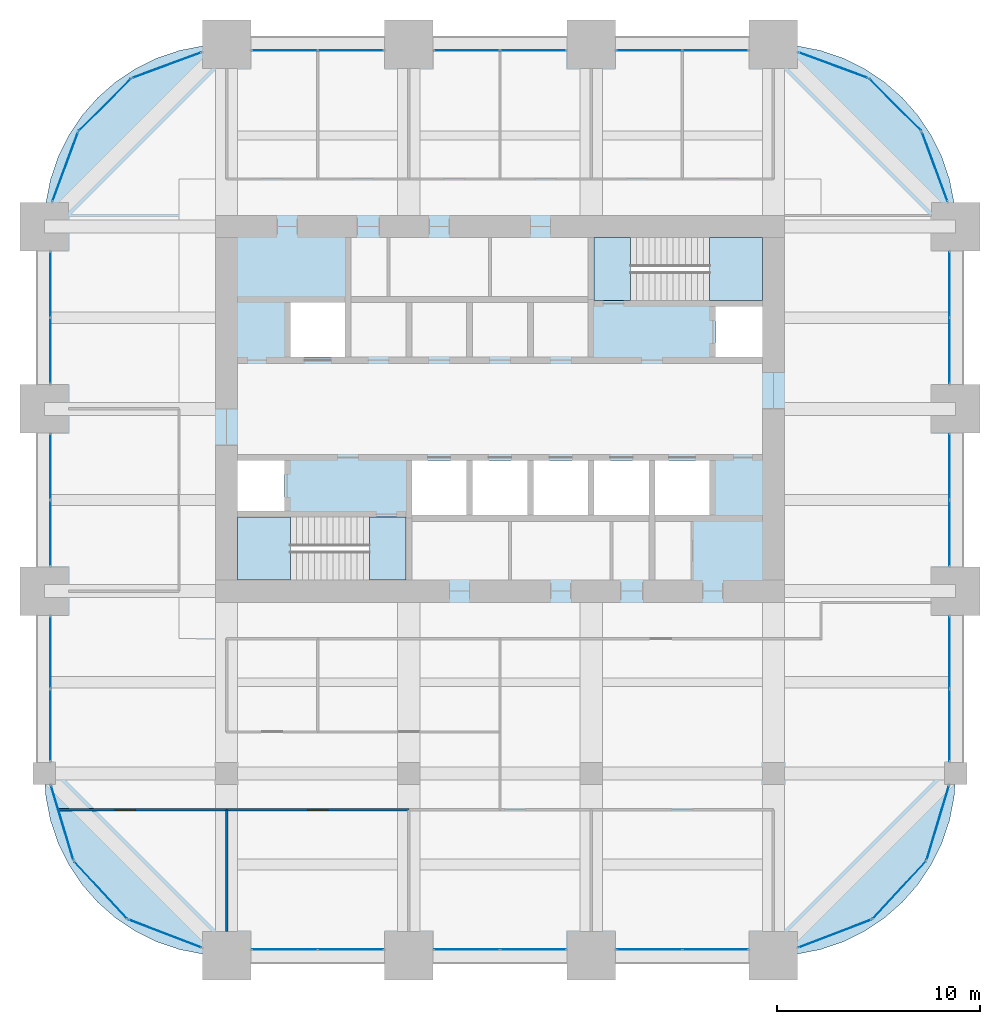
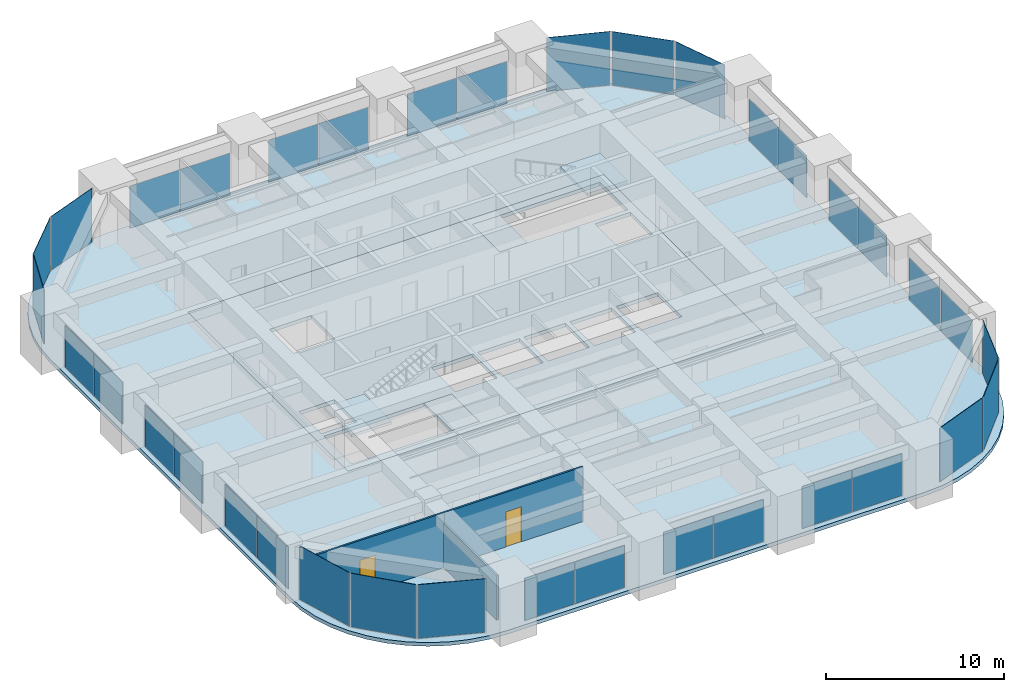
# One storey, part 41 of 45: 36 plates, 6 slabs, 3 walls, 2 doors, 2 openings, 26 elements without a shape of their own.
"""IFC4 building model written with IfcOpenShell, lengths in metres."""

from ifc_helpers import new_model, si_unit, direction, frame, frame_2d, origin, origin_2d, place, context, subcontext, project, spatial, polyline, rectangle, outline, extrude, material, layer, layer_set, type_object, element, fill, aggregate, save


model = new_model("IFC4")

# Units and contexts
model_context = context("Model", 3, precision=1e-05, world=origin(), true_north=direction((0.0, 1.0)))
body_context = subcontext(model_context, "Body", "Model", "MODEL_VIEW")
ifc_project = project(units=[si_unit("LENGTHUNIT", "METRE"), si_unit("AREAUNIT", "SQUARE_METRE"), si_unit("VOLUMEUNIT", "CUBIC_METRE"), si_unit("PLANEANGLEUNIT", "RADIAN"), si_unit("MASSUNIT", "GRAM", prefix="KILO")], contexts=[model_context])

# Site, building, storey
site_placement = place(None, origin())
site = spatial("IfcSite", under=ifc_project, at=site_placement, CompositionType="ELEMENT")
building_placement = place(site_placement, origin())
building = spatial("IfcBuilding", under=site, at=building_placement, Name="Zorevar Civic Tower", CompositionType="ELEMENT")
storey_placement = place(building_placement, frame((0.0, 0.0, 247.39990234375)))
storey = spatial("IfcBuildingStorey", under=building, at=storey_placement, Name="L60", CompositionType="ELEMENT", Elevation=247.39990234375)

# Curtain wall, plates
ifc_material_1 = material(Name="Dark grey solar-control glass in black aluminium frame", Category="aluminium")
curtain_wall_type = type_object("IfcCurtainWallType", Name="Curtain wall CW5 top zone", PredefinedType="NOTDEFINED", material=ifc_material_1)
curtain_wall_1_placement = place(storey_placement, origin())
curtain_wall_1 = element("IfcCurtainWall", 1, at=curtain_wall_1_placement, inside=storey, type_object=curtain_wall_type, Name="CW5 L60", PredefinedType="NOTDEFINED")
ifc_material_2 = material(Name="Dark grey solar-control glass", Category="glass")
ifc_layer_1 = layer(ifc_material_2, 0.028076171875)
ifc_layer_set_1 = layer_set([ifc_layer_1], Name="CW5 panel 28")
plate_type = type_object("IfcPlateType", Name="CW5 panel 28", PredefinedType="CURTAIN_PANEL", material=ifc_layer_set_1)
plate_1_placement = place(storey_placement, frame((20.864990234375, 0.300048828125, 0.06005859375), z_axis=(0.0, 0.0, 1.0), x_axis=(1.0, 0.0, 0.0)))
plate_1 = element("IfcPlate", 2, at=plate_1_placement, type_object=plate_type, Name="CW5 panel 1.1", PredefinedType="CURTAIN_PANEL", context=body_context, shape_type="SweptSolid", body=[
    extrude(rectangle(XDim=3.2099609375, YDim=0.028076171875, at=origin_2d()), origin(), (0.0, 0.0, 1.0), 2.889892578125),
])
plate_2_placement = place(storey_placement, frame((24.135009765625, 0.300048828125, 0.06005859375), z_axis=(0.0, 0.0, 1.0), x_axis=(1.0, 0.0, 0.0)))
plate_2 = element("IfcPlate", 3, at=plate_2_placement, type_object=plate_type, Name="CW5 panel 2.1", PredefinedType="CURTAIN_PANEL", context=body_context, shape_type="SweptSolid", body=[
    extrude(rectangle(XDim=3.2099609375, YDim=0.028076171875, at=origin_2d()), origin(), (0.0, 0.0, 1.0), 2.889892578125),
])
aggregate(curtain_wall_1, [plate_1, plate_2])

curtain_wall_2_placement = place(storey_placement, origin())
curtain_wall_2 = element("IfcCurtainWall", 4, at=curtain_wall_2_placement, inside=storey, type_object=curtain_wall_type, Name="CW5 L60", PredefinedType="NOTDEFINED")
plate_3_placement = place(storey_placement, frame((20.864990234375, 44.699951171875, 0.06005859375), z_axis=(0.0, 0.0, 1.0), x_axis=(1.0, 0.0, 0.0)))
plate_3 = element("IfcPlate", 5, at=plate_3_placement, type_object=plate_type, Name="CW5 panel 1.1", PredefinedType="CURTAIN_PANEL", context=body_context, shape_type="SweptSolid", body=[
    extrude(rectangle(XDim=3.2099609375, YDim=0.028076171875, at=origin_2d()), origin(), (0.0, 0.0, 1.0), 2.889892578125),
])
plate_4_placement = place(storey_placement, frame((24.135009765625, 44.699951171875, 0.06005859375), z_axis=(0.0, 0.0, 1.0), x_axis=(1.0, 0.0, 0.0)))
plate_4 = element("IfcPlate", 6, at=plate_4_placement, type_object=plate_type, Name="CW5 panel 2.1", PredefinedType="CURTAIN_PANEL", context=body_context, shape_type="SweptSolid", body=[
    extrude(rectangle(XDim=3.2099609375, YDim=0.028076171875, at=origin_2d()), origin(), (0.0, 0.0, 1.0), 2.889892578125),
])
aggregate(curtain_wall_2, [plate_3, plate_4])

curtain_wall_3_placement = place(storey_placement, origin())
curtain_wall_3 = element("IfcCurtainWall", 7, at=curtain_wall_3_placement, inside=storey, type_object=curtain_wall_type, Name="CW5 L60", PredefinedType="NOTDEFINED")
plate_5_placement = place(storey_placement, frame((29.864990234375, 0.300048828125, 0.06005859375), z_axis=(0.0, 0.0, 1.0), x_axis=(1.0, 0.0, 0.0)))
plate_5 = element("IfcPlate", 8, at=plate_5_placement, type_object=plate_type, Name="CW5 panel 1.1", PredefinedType="CURTAIN_PANEL", context=body_context, shape_type="SweptSolid", body=[
    extrude(rectangle(XDim=3.2099609375, YDim=0.028076171875, at=origin_2d()), origin(), (0.0, 0.0, 1.0), 2.889892578125),
])
plate_6_placement = place(storey_placement, frame((33.135009765625, 0.300048828125, 0.06005859375), z_axis=(0.0, 0.0, 1.0), x_axis=(1.0, 0.0, 0.0)))
plate_6 = element("IfcPlate", 9, at=plate_6_placement, type_object=plate_type, Name="CW5 panel 2.1", PredefinedType="CURTAIN_PANEL", context=body_context, shape_type="SweptSolid", body=[
    extrude(rectangle(XDim=3.2099609375, YDim=0.028076171875, at=origin_2d()), origin(), (0.0, 0.0, 1.0), 2.889892578125),
])
aggregate(curtain_wall_3, [plate_5, plate_6])

curtain_wall_4_placement = place(storey_placement, origin())
curtain_wall_4 = element("IfcCurtainWall", 10, at=curtain_wall_4_placement, inside=storey, type_object=curtain_wall_type, Name="CW5 L60", PredefinedType="NOTDEFINED")
plate_7_placement = place(storey_placement, frame((29.864990234375, 44.699951171875, 0.06005859375), z_axis=(0.0, 0.0, 1.0), x_axis=(1.0, 0.0, 0.0)))
plate_7 = element("IfcPlate", 11, at=plate_7_placement, type_object=plate_type, Name="CW5 panel 1.1", PredefinedType="CURTAIN_PANEL", context=body_context, shape_type="SweptSolid", body=[
    extrude(rectangle(XDim=3.2099609375, YDim=0.028076171875, at=origin_2d()), origin(), (0.0, 0.0, 1.0), 2.889892578125),
])
plate_8_placement = place(storey_placement, frame((33.135009765625, 44.699951171875, 0.06005859375), z_axis=(0.0, 0.0, 1.0), x_axis=(1.0, 0.0, 0.0)))
plate_8 = element("IfcPlate", 12, at=plate_8_placement, type_object=plate_type, Name="CW5 panel 2.1", PredefinedType="CURTAIN_PANEL", context=body_context, shape_type="SweptSolid", body=[
    extrude(rectangle(XDim=3.2099609375, YDim=0.028076171875, at=origin_2d()), origin(), (0.0, 0.0, 1.0), 2.889892578125),
])
aggregate(curtain_wall_4, [plate_7, plate_8])

curtain_wall_5_placement = place(storey_placement, origin())
curtain_wall_5 = element("IfcCurtainWall", 13, at=curtain_wall_5_placement, inside=storey, type_object=curtain_wall_type, Name="CW5 L60", PredefinedType="NOTDEFINED")
plate_9_placement = place(storey_placement, frame((38.864990234375, 0.300048828125, 0.06005859375), z_axis=(0.0, 0.0, 1.0), x_axis=(1.0, 0.0, 0.0)))
plate_9 = element("IfcPlate", 14, at=plate_9_placement, type_object=plate_type, Name="CW5 panel 1.1", PredefinedType="CURTAIN_PANEL", context=body_context, shape_type="SweptSolid", body=[
    extrude(rectangle(XDim=3.2099609375, YDim=0.028076171875, at=origin_2d()), origin(), (0.0, 0.0, 1.0), 2.889892578125),
])
plate_10_placement = place(storey_placement, frame((42.135009765625, 0.300048828125, 0.06005859375), z_axis=(0.0, 0.0, 1.0), x_axis=(1.0, 0.0, 0.0)))
plate_10 = element("IfcPlate", 15, at=plate_10_placement, type_object=plate_type, Name="CW5 panel 2.1", PredefinedType="CURTAIN_PANEL", context=body_context, shape_type="SweptSolid", body=[
    extrude(rectangle(XDim=3.2099609375, YDim=0.028076171875, at=origin_2d()), origin(), (0.0, 0.0, 1.0), 2.889892578125),
])
aggregate(curtain_wall_5, [plate_9, plate_10])

curtain_wall_6_placement = place(storey_placement, origin())
curtain_wall_6 = element("IfcCurtainWall", 16, at=curtain_wall_6_placement, inside=storey, type_object=curtain_wall_type, Name="CW5 L60", PredefinedType="NOTDEFINED")
plate_11_placement = place(storey_placement, frame((38.864990234375, 44.699951171875, 0.06005859375), z_axis=(0.0, 0.0, 1.0), x_axis=(1.0, 0.0, 0.0)))
plate_11 = element("IfcPlate", 17, at=plate_11_placement, type_object=plate_type, Name="CW5 panel 1.1", PredefinedType="CURTAIN_PANEL", context=body_context, shape_type="SweptSolid", body=[
    extrude(rectangle(XDim=3.2099609375, YDim=0.028076171875, at=origin_2d()), origin(), (0.0, 0.0, 1.0), 2.889892578125),
])
plate_12_placement = place(storey_placement, frame((42.135009765625, 44.699951171875, 0.06005859375), z_axis=(0.0, 0.0, 1.0), x_axis=(1.0, 0.0, 0.0)))
plate_12 = element("IfcPlate", 18, at=plate_12_placement, type_object=plate_type, Name="CW5 panel 2.1", PredefinedType="CURTAIN_PANEL", context=body_context, shape_type="SweptSolid", body=[
    extrude(rectangle(XDim=3.2099609375, YDim=0.028076171875, at=origin_2d()), origin(), (0.0, 0.0, 1.0), 2.889892578125),
])
aggregate(curtain_wall_6, [plate_11, plate_12])

curtain_wall_7_placement = place(storey_placement, origin())
curtain_wall_7 = element("IfcCurtainWall", 19, at=curtain_wall_7_placement, inside=storey, type_object=curtain_wall_type, Name="CW5 L60", PredefinedType="NOTDEFINED")
plate_13_placement = place(storey_placement, frame((9.300048828125, 11.37744140625, 0.06005859375), z_axis=(0.0, 0.0, 1.0), x_axis=(0.0, 1.0, 0.0)))
plate_13 = element("IfcPlate", 20, at=plate_13_placement, type_object=plate_type, Name="CW5 panel 1.1", PredefinedType="CURTAIN_PANEL", context=body_context, shape_type="SweptSolid", body=[
    extrude(rectangle(XDim=3.534912109375, YDim=0.028076171875, at=origin_2d()), origin(), (0.0, 0.0, 1.0), 2.889892578125),
])
plate_14_placement = place(storey_placement, frame((9.300048828125, 14.972412109375, 0.06005859375), z_axis=(0.0, 0.0, 1.0), x_axis=(0.0, 1.0, 0.0)))
plate_14 = element("IfcPlate", 21, at=plate_14_placement, type_object=plate_type, Name="CW5 panel 2.1", PredefinedType="CURTAIN_PANEL", context=body_context, shape_type="SweptSolid", body=[
    extrude(rectangle(XDim=3.534912109375, YDim=0.028076171875, at=origin_2d()), origin(), (0.0, 0.0, 1.0), 2.889892578125),
])
aggregate(curtain_wall_7, [plate_13, plate_14])

curtain_wall_8_placement = place(storey_placement, origin())
curtain_wall_8 = element("IfcCurtainWall", 22, at=curtain_wall_8_placement, inside=storey, type_object=curtain_wall_type, Name="CW5 L60", PredefinedType="NOTDEFINED")
plate_15_placement = place(storey_placement, frame((53.699951171875, 11.37744140625, 0.06005859375), z_axis=(0.0, 0.0, 1.0), x_axis=(0.0, 1.0, 0.0)))
plate_15 = element("IfcPlate", 23, at=plate_15_placement, type_object=plate_type, Name="CW5 panel 1.1", PredefinedType="CURTAIN_PANEL", context=body_context, shape_type="SweptSolid", body=[
    extrude(rectangle(XDim=3.534912109375, YDim=0.028076171875, at=origin_2d()), origin(), (0.0, 0.0, 1.0), 2.889892578125),
])
plate_16_placement = place(storey_placement, frame((53.699951171875, 14.972412109375, 0.06005859375), z_axis=(0.0, 0.0, 1.0), x_axis=(0.0, 1.0, 0.0)))
plate_16 = element("IfcPlate", 24, at=plate_16_placement, type_object=plate_type, Name="CW5 panel 2.1", PredefinedType="CURTAIN_PANEL", context=body_context, shape_type="SweptSolid", body=[
    extrude(rectangle(XDim=3.534912109375, YDim=0.028076171875, at=origin_2d()), origin(), (0.0, 0.0, 1.0), 2.889892578125),
])
aggregate(curtain_wall_8, [plate_15, plate_16])

curtain_wall_9_placement = place(storey_placement, origin())
curtain_wall_9 = element("IfcCurtainWall", 25, at=curtain_wall_9_placement, inside=storey, type_object=curtain_wall_type, Name="CW5 L60", PredefinedType="NOTDEFINED")
plate_17_placement = place(storey_placement, frame((9.300048828125, 20.864990234375, 0.06005859375), z_axis=(0.0, 0.0, 1.0), x_axis=(0.0, 1.0, 0.0)))
plate_17 = element("IfcPlate", 26, at=plate_17_placement, type_object=plate_type, Name="CW5 panel 1.1", PredefinedType="CURTAIN_PANEL", context=body_context, shape_type="SweptSolid", body=[
    extrude(rectangle(XDim=3.2099609375, YDim=0.028076171875, at=origin_2d()), origin(), (0.0, 0.0, 1.0), 2.889892578125),
])
plate_18_placement = place(storey_placement, frame((9.300048828125, 24.135009765625, 0.06005859375), z_axis=(0.0, 0.0, 1.0), x_axis=(0.0, 1.0, 0.0)))
plate_18 = element("IfcPlate", 27, at=plate_18_placement, type_object=plate_type, Name="CW5 panel 2.1", PredefinedType="CURTAIN_PANEL", context=body_context, shape_type="SweptSolid", body=[
    extrude(rectangle(XDim=3.2099609375, YDim=0.028076171875, at=origin_2d()), origin(), (0.0, 0.0, 1.0), 2.889892578125),
])
aggregate(curtain_wall_9, [plate_17, plate_18])

curtain_wall_10_placement = place(storey_placement, origin())
curtain_wall_10 = element("IfcCurtainWall", 28, at=curtain_wall_10_placement, inside=storey, type_object=curtain_wall_type, Name="CW5 L60", PredefinedType="NOTDEFINED")
plate_19_placement = place(storey_placement, frame((53.699951171875, 20.864990234375, 0.06005859375), z_axis=(0.0, 0.0, 1.0), x_axis=(0.0, 1.0, 0.0)))
plate_19 = element("IfcPlate", 29, at=plate_19_placement, type_object=plate_type, Name="CW5 panel 1.1", PredefinedType="CURTAIN_PANEL", context=body_context, shape_type="SweptSolid", body=[
    extrude(rectangle(XDim=3.2099609375, YDim=0.028076171875, at=origin_2d()), origin(), (0.0, 0.0, 1.0), 2.889892578125),
])
plate_20_placement = place(storey_placement, frame((53.699951171875, 24.135009765625, 0.06005859375), z_axis=(0.0, 0.0, 1.0), x_axis=(0.0, 1.0, 0.0)))
plate_20 = element("IfcPlate", 30, at=plate_20_placement, type_object=plate_type, Name="CW5 panel 2.1", PredefinedType="CURTAIN_PANEL", context=body_context, shape_type="SweptSolid", body=[
    extrude(rectangle(XDim=3.2099609375, YDim=0.028076171875, at=origin_2d()), origin(), (0.0, 0.0, 1.0), 2.889892578125),
])
aggregate(curtain_wall_10, [plate_19, plate_20])

curtain_wall_11_placement = place(storey_placement, origin())
curtain_wall_11 = element("IfcCurtainWall", 31, at=curtain_wall_11_placement, inside=storey, type_object=curtain_wall_type, Name="CW5 L60", PredefinedType="NOTDEFINED")
plate_21_placement = place(storey_placement, frame((9.300048828125, 29.864990234375, 0.06005859375), z_axis=(0.0, 0.0, 1.0), x_axis=(0.0, 1.0, 0.0)))
plate_21 = element("IfcPlate", 32, at=plate_21_placement, type_object=plate_type, Name="CW5 panel 1.1", PredefinedType="CURTAIN_PANEL", context=body_context, shape_type="SweptSolid", body=[
    extrude(rectangle(XDim=3.2099609375, YDim=0.028076171875, at=origin_2d()), origin(), (0.0, 0.0, 1.0), 2.889892578125),
])
plate_22_placement = place(storey_placement, frame((9.300048828125, 33.135009765625, 0.06005859375), z_axis=(0.0, 0.0, 1.0), x_axis=(0.0, 1.0, 0.0)))
plate_22 = element("IfcPlate", 33, at=plate_22_placement, type_object=plate_type, Name="CW5 panel 2.1", PredefinedType="CURTAIN_PANEL", context=body_context, shape_type="SweptSolid", body=[
    extrude(rectangle(XDim=3.2099609375, YDim=0.028076171875, at=origin_2d()), origin(), (0.0, 0.0, 1.0), 2.889892578125),
])
aggregate(curtain_wall_11, [plate_21, plate_22])

curtain_wall_12_placement = place(storey_placement, origin())
curtain_wall_12 = element("IfcCurtainWall", 34, at=curtain_wall_12_placement, inside=storey, type_object=curtain_wall_type, Name="CW5 L60", PredefinedType="NOTDEFINED")
plate_23_placement = place(storey_placement, frame((53.699951171875, 29.864990234375, 0.06005859375), z_axis=(0.0, 0.0, 1.0), x_axis=(0.0, 1.0, 0.0)))
plate_23 = element("IfcPlate", 35, at=plate_23_placement, type_object=plate_type, Name="CW5 panel 1.1", PredefinedType="CURTAIN_PANEL", context=body_context, shape_type="SweptSolid", body=[
    extrude(rectangle(XDim=3.2099609375, YDim=0.028076171875, at=origin_2d()), origin(), (0.0, 0.0, 1.0), 2.889892578125),
])
plate_24_placement = place(storey_placement, frame((53.699951171875, 33.135009765625, 0.06005859375), z_axis=(0.0, 0.0, 1.0), x_axis=(0.0, 1.0, 0.0)))
plate_24 = element("IfcPlate", 36, at=plate_24_placement, type_object=plate_type, Name="CW5 panel 2.1", PredefinedType="CURTAIN_PANEL", context=body_context, shape_type="SweptSolid", body=[
    extrude(rectangle(XDim=3.2099609375, YDim=0.028076171875, at=origin_2d()), origin(), (0.0, 0.0, 1.0), 2.889892578125),
])
aggregate(curtain_wall_12, [plate_23, plate_24])

# Curtain wall, plate
curtain_wall_13_placement = place(storey_placement, origin())
curtain_wall_13 = element("IfcCurtainWall", 37, at=curtain_wall_13_placement, inside=storey, type_object=curtain_wall_type, Name="CW5 L60", PredefinedType="NOTDEFINED")
plate_25_placement = place(storey_placement, frame((48.037353515625, 1.088623046875, 0.06005859375), z_axis=(0.0, 0.0, 1.0), x_axis=(0.933563219647, 0.358412771707, 0.0)))
plate_25 = element("IfcPlate", 38, at=plate_25_placement, type_object=plate_type, Name="CW5 panel 1.1", PredefinedType="CURTAIN_PANEL", context=body_context, shape_type="SweptSolid", body=[
    extrude(rectangle(XDim=3.816162109375, YDim=0.028076171875, at=origin_2d()), origin(), (0.0, 0.0, 1.0), 3.68994140625),
])
aggregate(curtain_wall_13, [plate_25])

curtain_wall_14_placement = place(storey_placement, origin())
curtain_wall_14 = element("IfcCurtainWall", 39, at=curtain_wall_14_placement, inside=storey, type_object=curtain_wall_type, Name="CW5 L60", PredefinedType="NOTDEFINED")
plate_26_placement = place(storey_placement, frame((51.213134765625, 3.23681640625, 0.06005859375), z_axis=(0.0, 0.0, 1.0), x_axis=(0.680051413917, 0.733164425234, 0.0)))
plate_26 = element("IfcPlate", 40, at=plate_26_placement, type_object=plate_type, Name="CW5 panel 1.1", PredefinedType="CURTAIN_PANEL", context=body_context, shape_type="SweptSolid", body=[
    extrude(rectangle(XDim=3.816162109375, YDim=0.028076171875, at=origin_2d()), origin(), (0.0, 0.0, 1.0), 3.68994140625),
])
aggregate(curtain_wall_14, [plate_26])

curtain_wall_15_placement = place(storey_placement, origin())
curtain_wall_15 = element("IfcCurtainWall", 41, at=curtain_wall_15_placement, inside=storey, type_object=curtain_wall_type, Name="CW5 L60", PredefinedType="NOTDEFINED")
plate_27_placement = place(storey_placement, frame((53.116943359375, 6.56494140625, 0.06005859375), z_axis=(0.0, 0.0, 1.0), x_axis=(0.287350472723, 0.95782550907, 0.0)))
plate_27 = element("IfcPlate", 42, at=plate_27_placement, type_object=plate_type, Name="CW5 panel 1.1", PredefinedType="CURTAIN_PANEL", context=body_context, shape_type="SweptSolid", body=[
    extrude(rectangle(XDim=3.816162109375, YDim=0.028076171875, at=origin_2d()), origin(), (0.0, 0.0, 1.0), 3.68994140625),
])
aggregate(curtain_wall_15, [plate_27])

curtain_wall_16_placement = place(storey_placement, origin())
curtain_wall_16 = element("IfcCurtainWall", 43, at=curtain_wall_16_placement, inside=storey, type_object=curtain_wall_type, Name="CW5 L60", PredefinedType="NOTDEFINED")
plate_28_placement = place(storey_placement, frame((52.97119140625, 38.9462890625, 0.06005859375), z_axis=(0.0, 0.0, 1.0), x_axis=(-0.346704012033, 0.937974588163, 0.0)))
plate_28 = element("IfcPlate", 44, at=plate_28_placement, type_object=plate_type, Name="CW5 panel 1.1", PredefinedType="CURTAIN_PANEL", context=body_context, shape_type="SweptSolid", body=[
    extrude(rectangle(XDim=3.603759765625, YDim=0.028076171875, at=origin_2d()), origin(), (0.0, 0.0, 1.0), 3.68994140625),
])
aggregate(curtain_wall_16, [plate_28])

curtain_wall_17_placement = place(storey_placement, origin())
curtain_wall_17 = element("IfcCurtainWall", 45, at=curtain_wall_17_placement, inside=storey, type_object=curtain_wall_type, Name="CW5 L60", PredefinedType="NOTDEFINED")
plate_29_placement = place(storey_placement, frame((51.00927734375, 42.00927734375, 0.06005859375), z_axis=(0.0, 0.0, 1.0), x_axis=(-0.707106781187, 0.707106781187, 0.0)))
plate_29 = element("IfcPlate", 46, at=plate_29_placement, type_object=plate_type, Name="CW5 panel 1.1", PredefinedType="CURTAIN_PANEL", context=body_context, shape_type="SweptSolid", body=[
    extrude(rectangle(XDim=3.603759765625, YDim=0.028076171875, at=origin_2d()), origin(), (0.0, 0.0, 1.0), 3.68994140625),
])
aggregate(curtain_wall_17, [plate_29])

curtain_wall_18_placement = place(storey_placement, origin())
curtain_wall_18 = element("IfcCurtainWall", 47, at=curtain_wall_18_placement, inside=storey, type_object=curtain_wall_type, Name="CW5 L60", PredefinedType="NOTDEFINED")
plate_30_placement = place(storey_placement, frame((47.9462890625, 43.97119140625, 0.06005859375), z_axis=(0.0, 0.0, 1.0), x_axis=(-0.937974588163, 0.346704012033, 0.0)))
plate_30 = element("IfcPlate", 48, at=plate_30_placement, type_object=plate_type, Name="CW5 panel 1.1", PredefinedType="CURTAIN_PANEL", context=body_context, shape_type="SweptSolid", body=[
    extrude(rectangle(XDim=3.603759765625, YDim=0.028076171875, at=origin_2d()), origin(), (0.0, 0.0, 1.0), 3.68994140625),
])
aggregate(curtain_wall_18, [plate_30])

curtain_wall_19_placement = place(storey_placement, origin())
curtain_wall_19 = element("IfcCurtainWall", 49, at=curtain_wall_19_placement, inside=storey, type_object=curtain_wall_type, Name="CW5 L60", PredefinedType="NOTDEFINED")
plate_31_placement = place(storey_placement, frame((15.0537109375, 43.97119140625, 0.06005859375), z_axis=(0.0, 0.0, 1.0), x_axis=(-0.937974588163, -0.346704012033, 0.0)))
plate_31 = element("IfcPlate", 50, at=plate_31_placement, type_object=plate_type, Name="CW5 panel 1.1", PredefinedType="CURTAIN_PANEL", context=body_context, shape_type="SweptSolid", body=[
    extrude(rectangle(XDim=3.603759765625, YDim=0.028076171875, at=origin_2d()), origin(), (0.0, 0.0, 1.0), 3.68994140625),
])
aggregate(curtain_wall_19, [plate_31])

curtain_wall_20_placement = place(storey_placement, origin())
curtain_wall_20 = element("IfcCurtainWall", 51, at=curtain_wall_20_placement, inside=storey, type_object=curtain_wall_type, Name="CW5 L60", PredefinedType="NOTDEFINED")
plate_32_placement = place(storey_placement, frame((11.99072265625, 42.00927734375, 0.06005859375), z_axis=(0.0, 0.0, 1.0), x_axis=(-0.707106781187, -0.707106781187, 0.0)))
plate_32 = element("IfcPlate", 52, at=plate_32_placement, type_object=plate_type, Name="CW5 panel 1.1", PredefinedType="CURTAIN_PANEL", context=body_context, shape_type="SweptSolid", body=[
    extrude(rectangle(XDim=3.603759765625, YDim=0.028076171875, at=origin_2d()), origin(), (0.0, 0.0, 1.0), 3.68994140625),
])
aggregate(curtain_wall_20, [plate_32])

curtain_wall_21_placement = place(storey_placement, origin())
curtain_wall_21 = element("IfcCurtainWall", 53, at=curtain_wall_21_placement, inside=storey, type_object=curtain_wall_type, Name="CW5 L60", PredefinedType="NOTDEFINED")
plate_33_placement = place(storey_placement, frame((10.02880859375, 38.9462890625, 0.06005859375), z_axis=(0.0, 0.0, 1.0), x_axis=(-0.346704012033, -0.937974588163, 0.0)))
plate_33 = element("IfcPlate", 54, at=plate_33_placement, type_object=plate_type, Name="CW5 panel 1.1", PredefinedType="CURTAIN_PANEL", context=body_context, shape_type="SweptSolid", body=[
    extrude(rectangle(XDim=3.603759765625, YDim=0.028076171875, at=origin_2d()), origin(), (0.0, 0.0, 1.0), 3.68994140625),
])
aggregate(curtain_wall_21, [plate_33])

curtain_wall_22_placement = place(storey_placement, origin())
curtain_wall_22 = element("IfcCurtainWall", 55, at=curtain_wall_22_placement, inside=storey, type_object=curtain_wall_type, Name="CW5 L60", PredefinedType="NOTDEFINED")
plate_34_placement = place(storey_placement, frame((9.883056640625, 6.56494140625, 0.06005859375), z_axis=(0.0, 0.0, 1.0), x_axis=(0.287350472723, -0.95782550907, 0.0)))
plate_34 = element("IfcPlate", 56, at=plate_34_placement, type_object=plate_type, Name="CW5 panel 1.1", PredefinedType="CURTAIN_PANEL", context=body_context, shape_type="SweptSolid", body=[
    extrude(rectangle(XDim=3.816162109375, YDim=0.028076171875, at=origin_2d()), origin(), (0.0, 0.0, 1.0), 3.68994140625),
])
aggregate(curtain_wall_22, [plate_34])

curtain_wall_23_placement = place(storey_placement, origin())
curtain_wall_23 = element("IfcCurtainWall", 57, at=curtain_wall_23_placement, inside=storey, type_object=curtain_wall_type, Name="CW5 L60", PredefinedType="NOTDEFINED")
plate_35_placement = place(storey_placement, frame((11.786865234375, 3.23681640625, 0.06005859375), z_axis=(0.0, 0.0, 1.0), x_axis=(0.680051413917, -0.733164425234, 0.0)))
plate_35 = element("IfcPlate", 58, at=plate_35_placement, type_object=plate_type, Name="CW5 panel 1.1", PredefinedType="CURTAIN_PANEL", context=body_context, shape_type="SweptSolid", body=[
    extrude(rectangle(XDim=3.816162109375, YDim=0.028076171875, at=origin_2d()), origin(), (0.0, 0.0, 1.0), 3.68994140625),
])
aggregate(curtain_wall_23, [plate_35])

curtain_wall_24_placement = place(storey_placement, origin())
curtain_wall_24 = element("IfcCurtainWall", 59, at=curtain_wall_24_placement, inside=storey, type_object=curtain_wall_type, Name="CW5 L60", PredefinedType="NOTDEFINED")
plate_36_placement = place(storey_placement, frame((14.962646484375, 1.088623046875, 0.06005859375), z_axis=(0.0, 0.0, 1.0), x_axis=(0.933563219647, -0.358412771707, 0.0)))
plate_36 = element("IfcPlate", 60, at=plate_36_placement, type_object=plate_type, Name="CW5 panel 1.1", PredefinedType="CURTAIN_PANEL", context=body_context, shape_type="SweptSolid", body=[
    extrude(rectangle(XDim=3.816162109375, YDim=0.028076171875, at=origin_2d()), origin(), (0.0, 0.0, 1.0), 3.68994140625),
])
aggregate(curtain_wall_24, [plate_36])

# Slabs
ifc_material_3 = material(Name="Concrete C40/50", Category="concrete")
ifc_layer_2 = layer(ifc_material_3, 0.25)
ifc_layer_set_2 = layer_set([ifc_layer_2], Name="Floor slab 250")
slab_type_1 = type_object("IfcSlabType", Name="Floor slab 250", PredefinedType="FLOOR", material=ifc_layer_set_2)
slab_1_placement = place(storey_placement, frame((0.0, 0.0, -0.25)))
element("IfcSlab", 61, at=slab_1_placement, inside=storey, type_object=slab_type_1, Name="Floor slab L60", PredefinedType="FLOOR", context=body_context, shape_type="SweptSolid", body=[
    extrude(outline(polyline([(45.0, 0.0), (46.1748046875, 0.076904296875), (47.329345703125, 0.306640625), (48.444091796875, 0.68505859375), (49.5, 1.205810546875), (50.478759765625, 1.85986328125), (51.364013671875, 2.635986328125), (52.14013671875, 3.521240234375), (52.794189453125, 4.5), (53.31494140625, 5.555908203125), (53.693359375, 6.670654296875), (53.923095703125, 7.8251953125), (54.0, 9.0), (54.0, 36.0), (53.923095703125, 37.1748046875), (53.693359375, 38.329345703125), (53.31494140625, 39.444091796875), (52.794189453125, 40.5), (52.14013671875, 41.478759765625), (51.364013671875, 42.364013671875), (50.478759765625, 43.14013671875), (49.5, 43.794189453125), (48.444091796875, 44.31494140625), (47.329345703125, 44.693359375), (46.1748046875, 44.923095703125), (45.0, 45.0), (18.0, 45.0), (16.8251953125, 44.923095703125), (15.670654296875, 44.693359375), (14.555908203125, 44.31494140625), (13.5, 43.794189453125), (12.521240234375, 43.14013671875), (11.635986328125, 42.364013671875), (10.85986328125, 41.478759765625), (10.205810546875, 40.5), (9.68505859375, 39.444091796875), (9.306640625, 38.329345703125), (9.076904296875, 37.1748046875), (9.0, 36.0), (9.0, 9.0), (9.076904296875, 7.8251953125), (9.306640625, 6.670654296875), (9.68505859375, 5.555908203125), (10.205810546875, 4.5), (10.85986328125, 3.521240234375), (11.635986328125, 2.635986328125), (12.521240234375, 1.85986328125), (13.5, 1.205810546875), (14.555908203125, 0.68505859375), (15.670654296875, 0.306640625), (16.8251953125, 0.076904296875), (18.0, 0.0), (45.0, 0.0)]), holes=[polyline([(18.0, 18.0), (45.0, 18.0), (45.0, 36.0), (18.0, 36.0), (18.0, 18.0)])]), origin(), (0.0, 0.0, 1.0), 0.25),
])
slab_2_placement = place(storey_placement, frame((0.0, 0.0, -0.25)))
element("IfcSlab", 62, at=slab_2_placement, inside=storey, type_object=slab_type_1, Name="Core floor L60", PredefinedType="FLOOR", context=body_context, shape_type="SweptSolid", body=[
    extrude(outline(polyline([(18.0, 18.0), (45.0, 18.0), (45.0, 36.0), (18.0, 36.0), (18.0, 18.0)]), holes=[polyline([(18.550048828125, 18.550048828125), (26.85009765625, 18.550048828125), (26.85009765625, 21.64990234375), (18.550048828125, 21.64990234375), (18.550048828125, 18.550048828125)]), polyline([(36.14990234375, 32.35009765625), (44.449951171875, 32.35009765625), (44.449951171875, 35.449951171875), (36.14990234375, 35.449951171875), (36.14990234375, 32.35009765625)]), polyline([(18.550048828125, 21.949951171875), (20.85009765625, 21.949951171875), (20.85009765625, 24.449951171875), (18.550048828125, 24.449951171875), (18.550048828125, 21.949951171875)]), polyline([(42.14990234375, 29.550048828125), (44.449951171875, 29.550048828125), (44.449951171875, 32.050048828125), (42.14990234375, 32.050048828125), (42.14990234375, 29.550048828125)]), polyline([(27.14990234375, 21.75), (29.85009765625, 21.75), (29.85009765625, 24.449951171875), (27.14990234375, 24.449951171875), (27.14990234375, 21.75)]), polyline([(30.14990234375, 21.75), (32.85009765625, 21.75), (32.85009765625, 24.449951171875), (30.14990234375, 24.449951171875), (30.14990234375, 21.75)]), polyline([(33.14990234375, 21.75), (35.85009765625, 21.75), (35.85009765625, 24.449951171875), (33.14990234375, 24.449951171875), (33.14990234375, 21.75)]), polyline([(36.14990234375, 21.75), (38.85009765625, 21.75), (38.85009765625, 24.449951171875), (36.14990234375, 24.449951171875), (36.14990234375, 21.75)]), polyline([(39.14990234375, 21.75), (41.85009765625, 21.75), (41.85009765625, 24.449951171875), (39.14990234375, 24.449951171875), (39.14990234375, 21.75)]), polyline([(21.14990234375, 29.550048828125), (23.85009765625, 29.550048828125), (23.85009765625, 32.25), (21.14990234375, 32.25), (21.14990234375, 29.550048828125)])]), origin(), (0.0, 0.0, 1.0), 0.25),
])

# Stair, slabs
ifc_material_4 = material(Name="Precast concrete C40/50", Category="concrete")
stair_type = type_object("IfcStairType", Name="Stair ST 28R", PredefinedType="HALF_TURN_STAIR", material=ifc_material_4)
stair_1_placement = place(storey_placement, origin())
stair_1 = element("IfcStair", 63, at=stair_1_placement, inside=storey, type_object=stair_type, Name="Stair ST1 L60", PredefinedType="HALF_TURN_STAIR")
ifc_material_5 = material(Name="Concrete C40/50", Category="concrete")
ifc_layer_3 = layer(ifc_material_5, 0.199951171875)
ifc_layer_set_3 = layer_set([ifc_layer_3], Name="Stair landing 200")
slab_type_2 = type_object("IfcSlabType", Name="Stair landing 200", PredefinedType="LANDING", material=ifc_layer_set_3)
slab_3_placement = place(storey_placement, frame((0.0, 0.0, -0.199951171875)))
slab_3 = element("IfcSlab", 64, at=slab_3_placement, type_object=slab_type_2, Name="ST1 landing 1", PredefinedType="LANDING", context=body_context, shape_type="SweptSolid", body=[
    extrude(outline(polyline([(25.050048828125, 18.550048828125), (26.85009765625, 18.550048828125), (26.85009765625, 21.64990234375), (25.050048828125, 21.64990234375), (25.050048828125, 18.550048828125)])), origin(), (0.0, 0.0, 1.0), 0.199951171875),
])
slab_4_placement = place(storey_placement, frame((0.0, 0.0, 1.800048828125)))
slab_4 = element("IfcSlab", 65, at=slab_4_placement, type_object=slab_type_2, Name="ST1 landing 2", PredefinedType="LANDING", context=body_context, shape_type="SweptSolid", body=[
    extrude(outline(polyline([(18.550048828125, 18.550048828125), (21.14990234375, 18.550048828125), (21.14990234375, 21.64990234375), (18.550048828125, 21.64990234375), (18.550048828125, 18.550048828125)])), origin(), (0.0, 0.0, 1.0), 0.199951171875),
])
aggregate(stair_1, [slab_3, slab_4])

stair_2_placement = place(storey_placement, origin())
stair_2 = element("IfcStair", 66, at=stair_2_placement, inside=storey, type_object=stair_type, Name="Stair ST2 L60", PredefinedType="HALF_TURN_STAIR")
slab_5_placement = place(storey_placement, frame((0.0, 0.0, -0.199951171875)))
slab_5 = element("IfcSlab", 67, at=slab_5_placement, type_object=slab_type_2, Name="ST2 landing 1", PredefinedType="LANDING", context=body_context, shape_type="SweptSolid", body=[
    extrude(outline(polyline([(37.949951171875, 32.35009765625), (36.14990234375, 32.35009765625), (36.14990234375, 35.449951171875), (37.949951171875, 35.449951171875), (37.949951171875, 32.35009765625)])), origin(), (0.0, 0.0, 1.0), 0.199951171875),
])
slab_6_placement = place(storey_placement, frame((0.0, 0.0, 1.800048828125)))
slab_6 = element("IfcSlab", 68, at=slab_6_placement, type_object=slab_type_2, Name="ST2 landing 2", PredefinedType="LANDING", context=body_context, shape_type="SweptSolid", body=[
    extrude(outline(polyline([(44.449951171875, 32.35009765625), (41.85009765625, 32.35009765625), (41.85009765625, 35.449951171875), (44.449951171875, 35.449951171875), (44.449951171875, 32.35009765625)])), origin(), (0.0, 0.0, 1.0), 0.199951171875),
])
aggregate(stair_2, [slab_5, slab_6])

# Wall, opening, door
ifc_material_6 = material(Name="Gypsum board on steel studs", Category="steel")
ifc_layer_4 = layer(ifc_material_6, 0.1201171875)
ifc_layer_set_4 = layer_set([ifc_layer_4], Name="Partition 120")
wall_type = type_object("IfcWallType", Name="Partition 120", PredefinedType="PARTITIONING", material=ifc_layer_set_4)
wall_1_placement = place(storey_placement, frame((18.0, 7.199951171875, 0.0), z_axis=(0.0, 0.0, 1.0), x_axis=(1.0, 0.0, 0.0)))
wall_1 = element("IfcWall", 69, at=wall_1_placement, inside=storey, type_object=wall_type, Name="Partition 120 L60", PredefinedType="PARTITIONING", context=body_context, shape_type="SweptSolid", body=[
    extrude(rectangle(XDim=9.0, YDim=0.1201171875, at=frame_2d((4.5, 0.0))), origin(), (0.0, 0.0, 1.0), 3.75),
])
opening_1_placement = place(wall_1_placement, frame((4.0, 0.0, 0.0)))
opening_1 = element("IfcOpeningElement", 70, at=opening_1_placement, cuts=wall_1, Name="Opening L60.17", PredefinedType="OPENING", context=body_context, shape_type="SweptSolid", body=[
    extrude(rectangle(XDim=1.0, YDim=2.39990234375, at=frame_2d((0.5, 1.199951171875))), frame((0.0, 0.070068359375, 0.0), z_axis=(0.0, -1.0, 0.0), x_axis=(1.0, 0.0, 0.0)), (0.0, 0.0, 1.0), 0.14013671875),
])
ifc_material_7 = material(Name="Timber door set", Category="wood")
door_type = type_object("IfcDoorType", Name="Door D1 1000x2400", OperationType="SINGLE_SWING_LEFT", PredefinedType="DOOR", material=ifc_material_7)
door_1_placement = place(opening_1_placement, origin())
door_1 = element("IfcDoor", 71, at=door_1_placement, inside=storey, type_object=door_type, Name="Door L60 D1", OperationType="SINGLE_SWING_LEFT", OverallHeight=2.39990234375, OverallWidth=1.0, PredefinedType="DOOR", context=body_context, shape_type="SweptSolid", body=[
    extrude(rectangle(XDim=1.0, YDim=2.39990234375, at=frame_2d((0.5, 1.199951171875))), frame((0.0, 0.02490234375, 0.0), z_axis=(0.0, -1.0, 0.0), x_axis=(1.0, 0.0, 0.0)), (0.0, 0.0, 1.0), 0.050048828125),
])
fill(opening_1, door_1)

wall_2_placement = place(storey_placement, frame((9.727294921875, 7.199951171875, 0.0), z_axis=(0.0, 0.0, 1.0), x_axis=(1.0, 0.0, 0.0)))
wall_2 = element("IfcWall", 72, at=wall_2_placement, inside=storey, type_object=wall_type, Name="Partition 120 L60", PredefinedType="PARTITIONING", context=body_context, shape_type="SweptSolid", body=[
    extrude(rectangle(XDim=8.272705078125, YDim=0.1201171875, at=frame_2d((4.13623046875, 0.0))), origin(), (0.0, 0.0, 1.0), 3.75),
])
opening_2_placement = place(wall_2_placement, frame((2.772705078125, 0.0, 0.0)))
opening_2 = element("IfcOpeningElement", 73, at=opening_2_placement, cuts=wall_2, Name="Opening L60.20", PredefinedType="OPENING", context=body_context, shape_type="SweptSolid", body=[
    extrude(rectangle(XDim=1.0, YDim=2.39990234375, at=frame_2d((0.5, 1.199951171875))), frame((0.0, 0.070068359375, 0.0), z_axis=(0.0, -1.0, 0.0), x_axis=(1.0, 0.0, 0.0)), (0.0, 0.0, 1.0), 0.14013671875),
])
door_2_placement = place(opening_2_placement, origin())
door_2 = element("IfcDoor", 74, at=door_2_placement, inside=storey, type_object=door_type, Name="Door L60 D1", OperationType="SINGLE_SWING_RIGHT", OverallHeight=2.39990234375, OverallWidth=1.0, PredefinedType="DOOR", context=body_context, shape_type="SweptSolid", body=[
    extrude(rectangle(XDim=1.0, YDim=2.39990234375, at=frame_2d((0.5, 1.199951171875))), frame((0.0, 0.02490234375, 0.0), z_axis=(0.0, -1.0, 0.0), x_axis=(1.0, 0.0, 0.0)), (0.0, 0.0, 1.0), 0.050048828125),
])
fill(opening_2, door_2)

# Wall
wall_3_placement = place(storey_placement, frame((18.0, 1.199951171875, 0.0), z_axis=(0.0, 0.0, 1.0), x_axis=(0.0, 1.0, 0.0)))
element("IfcWall", 75, at=wall_3_placement, inside=storey, type_object=wall_type, Name="Partition 120 L60", PredefinedType="PARTITIONING", context=body_context, shape_type="SweptSolid", body=[
    extrude(rectangle(XDim=6.0, YDim=0.1201171875, at=frame_2d((3.0, 0.0))), origin(), (0.0, 0.0, 1.0), 3.050048828125),
])

save(model, "model.ifc")
